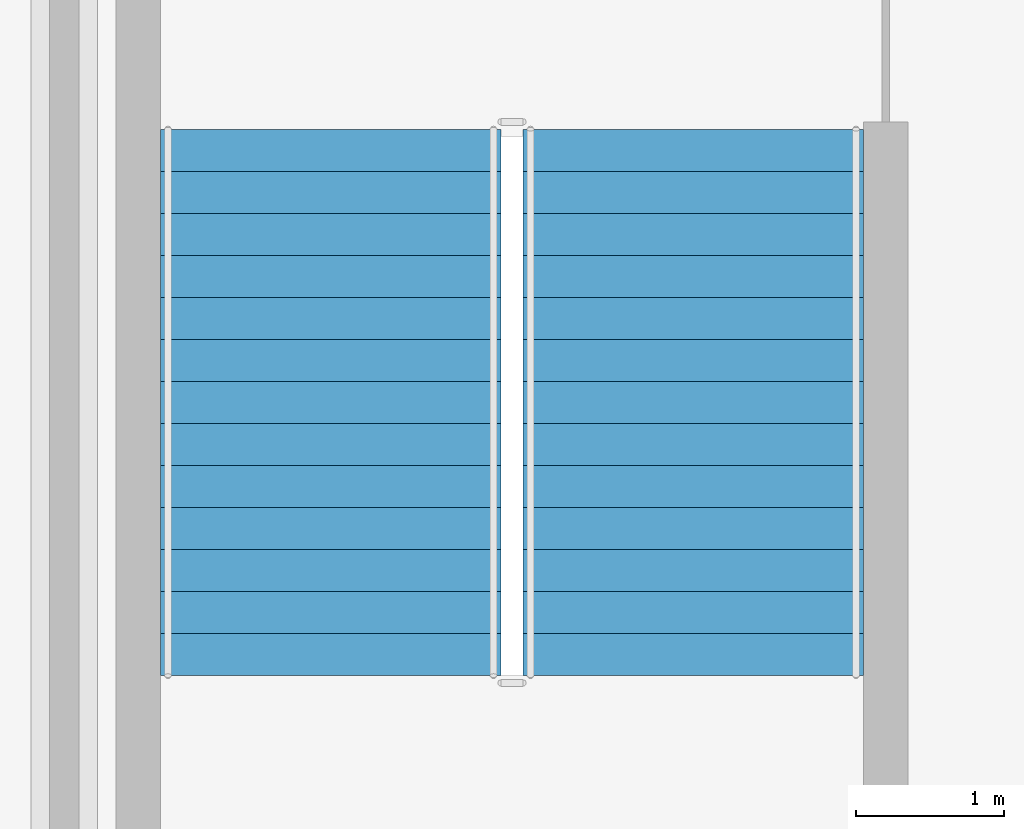
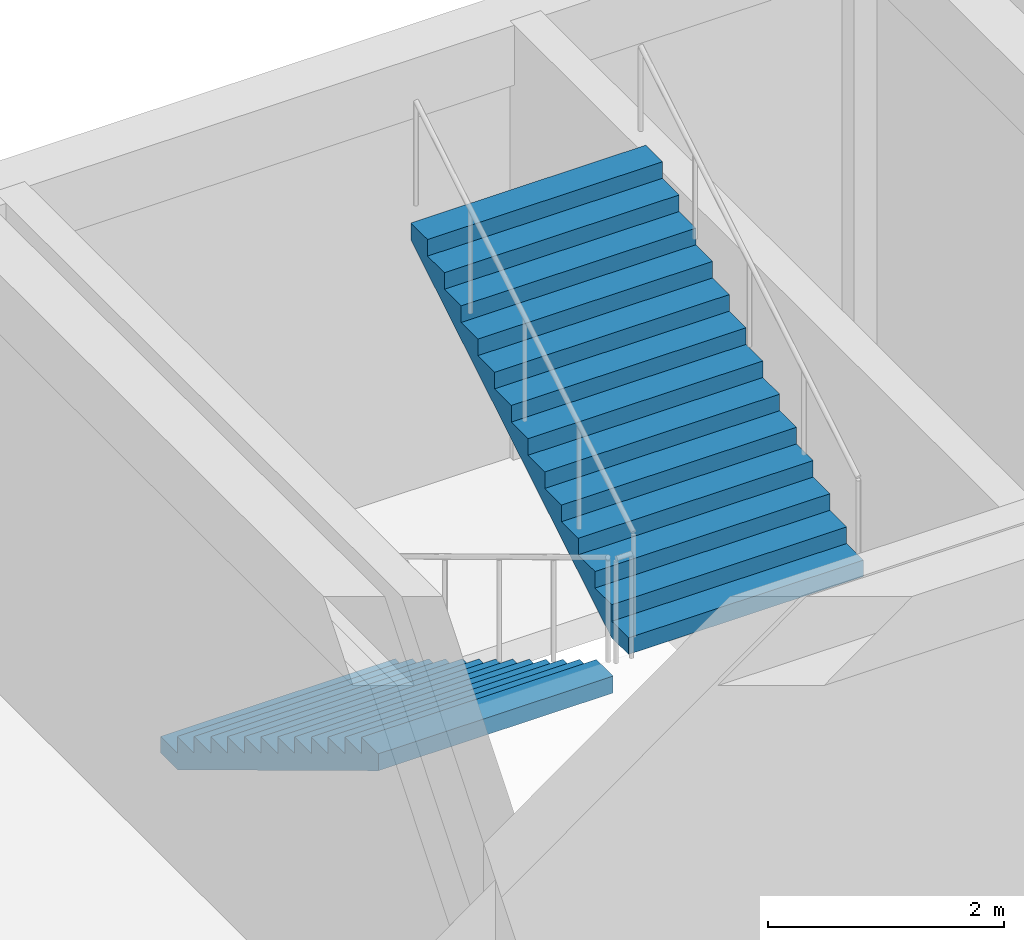
# One storey, part 31 of 42: 2 stair flights, 1 element without a shape of its own.
"""IFC4 building model written with IfcOpenShell, lengths in metres."""

from ifc_helpers import new_model, si_unit, direction, frame, origin, place, context, subcontext, project, spatial, polyline, outline, extrude, material, type_object, element, aggregate, save


model = new_model("IFC4")

# Units and contexts
model_context = context("Model", 3, precision=1e-05, world=origin(), true_north=direction((0.0, 1.0)))
body_context = subcontext(model_context, "Body", "Model", "MODEL_VIEW")
ifc_project = project(units=[si_unit("LENGTHUNIT", "METRE"), si_unit("AREAUNIT", "SQUARE_METRE"), si_unit("VOLUMEUNIT", "CUBIC_METRE"), si_unit("PLANEANGLEUNIT", "RADIAN"), si_unit("MASSUNIT", "GRAM", prefix="KILO")], contexts=[model_context])

# Site, building, storey
site_placement = place(None, origin())
site = spatial("IfcSite", under=ifc_project, at=site_placement, CompositionType="ELEMENT")
building_placement = place(site_placement, origin())
building = spatial("IfcBuilding", under=site, at=building_placement, Name="Dhurran Vertical Campus", CompositionType="ELEMENT")
storey_placement = place(building_placement, frame((0.0, 0.0, 6.0)))
storey = spatial("IfcBuildingStorey", under=building, at=storey_placement, Name="L01", CompositionType="ELEMENT", Elevation=6.0)

# Stair, stair flights
ifc_material_1 = material(Name="Concrete C40/50", Category="concrete")
stair_type = type_object("IfcStairType", Name="hl-exit stair dog-leg", PredefinedType="HALF_TURN_STAIR", material=ifc_material_1)
stair_placement = place(storey_placement, origin())
stair = element("IfcStair", 1, at=stair_placement, inside=storey, type_object=stair_type, Name="L01 Exit stair HST2", PredefinedType="HALF_TURN_STAIR")
ifc_material_2 = material(Name="Concrete C40/50", Category="concrete")
stair_flight_type = type_object("IfcStairFlightType", Name="hl-stair flight", PredefinedType="STRAIGHT", material=ifc_material_2)
stair_flight_1_placement = place(storey_placement, frame((117.300048828125, 24.550048828125, 0.0), z_axis=(0.0, 0.0, 1.0), x_axis=(0.0, -1.0, 0.0)))
stair_flight_1 = element("IfcStairFlight", 2, at=stair_flight_1_placement, type_object=stair_flight_type, Name="HST2 flight 1", NumberOfRisers=14, NumberOfTreads=13, PredefinedType="STRAIGHT", RiserHeight=0.171428571, TreadLength=0.284, context=body_context, shape_type="SweptSolid", body=[
    extrude(outline(polyline([(0.0, 0.0), (0.0, 0.17138671875), (0.283935546875, 0.17138671875), (0.283935546875, 0.3427734375), (0.568115234375, 0.3427734375), (0.568115234375, 0.514404296875), (0.85205078125, 0.514404296875), (0.85205078125, 0.685791015625), (1.135986328125, 0.685791015625), (1.135986328125, 0.857177734375), (1.419921875, 0.857177734375), (1.419921875, 1.028564453125), (1.7041015625, 1.028564453125), (1.7041015625, 1.199951171875), (1.988037109375, 1.199951171875), (1.988037109375, 1.371337890625), (2.27197265625, 1.371337890625), (2.27197265625, 1.54296875), (2.555908203125, 1.54296875), (2.555908203125, 1.71435546875), (2.840087890625, 1.71435546875), (2.840087890625, 1.8857421875), (3.1240234375, 1.8857421875), (3.1240234375, 2.05712890625), (3.407958984375, 2.05712890625), (3.407958984375, 2.228515625), (3.69189453125, 2.228515625), (3.69189453125, 2.39990234375), (3.69189453125, 2.053466796875), (0.2900390625, 0.0), (0.0, 0.0)])), frame((0.0, 1.14990234375, 0.0), z_axis=(0.0, -1.0, 0.0), x_axis=(1.0, 0.0, 0.0)), (0.0, 0.0, 1.0), 2.300048828125),
])
stair_flight_2_placement = place(storey_placement, frame((119.75, 20.85791015625, 2.39990234375), z_axis=(0.0, 0.0, 1.0), x_axis=(0.0, 1.0, 0.0)))
stair_flight_2 = element("IfcStairFlight", 3, at=stair_flight_2_placement, type_object=stair_flight_type, Name="HST2 flight 2", NumberOfRisers=14, NumberOfTreads=13, PredefinedType="STRAIGHT", RiserHeight=0.171428571, TreadLength=0.284, context=body_context, shape_type="SweptSolid", body=[
    extrude(outline(polyline([(0.0, 0.0), (0.0, 0.17138671875), (0.283935546875, 0.17138671875), (0.283935546875, 0.3427734375), (0.568115234375, 0.3427734375), (0.568115234375, 0.514404296875), (0.85205078125, 0.514404296875), (0.85205078125, 0.685791015625), (1.135986328125, 0.685791015625), (1.135986328125, 0.857177734375), (1.419921875, 0.857177734375), (1.419921875, 1.028564453125), (1.7041015625, 1.028564453125), (1.7041015625, 1.199951171875), (1.988037109375, 1.199951171875), (1.988037109375, 1.371337890625), (2.27197265625, 1.371337890625), (2.27197265625, 1.54296875), (2.555908203125, 1.54296875), (2.555908203125, 1.71435546875), (2.840087890625, 1.71435546875), (2.840087890625, 1.8857421875), (3.1240234375, 1.8857421875), (3.1240234375, 2.05712890625), (3.407958984375, 2.05712890625), (3.407958984375, 2.228515625), (3.69189453125, 2.228515625), (3.69189453125, 2.39990234375), (3.69189453125, 2.053466796875), (0.2900390625, 0.0), (0.0, 0.0)])), frame((0.0, 1.14990234375, 0.0), z_axis=(0.0, -1.0, 0.0), x_axis=(1.0, 0.0, 0.0)), (0.0, 0.0, 1.0), 2.300048828125),
])
aggregate(stair, [stair_flight_1, stair_flight_2])

save(model, "model.ifc")
